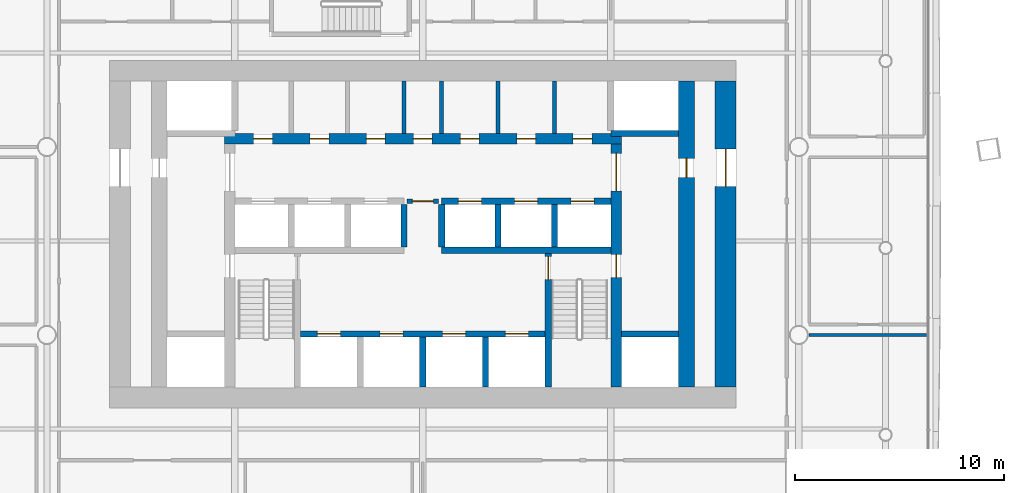
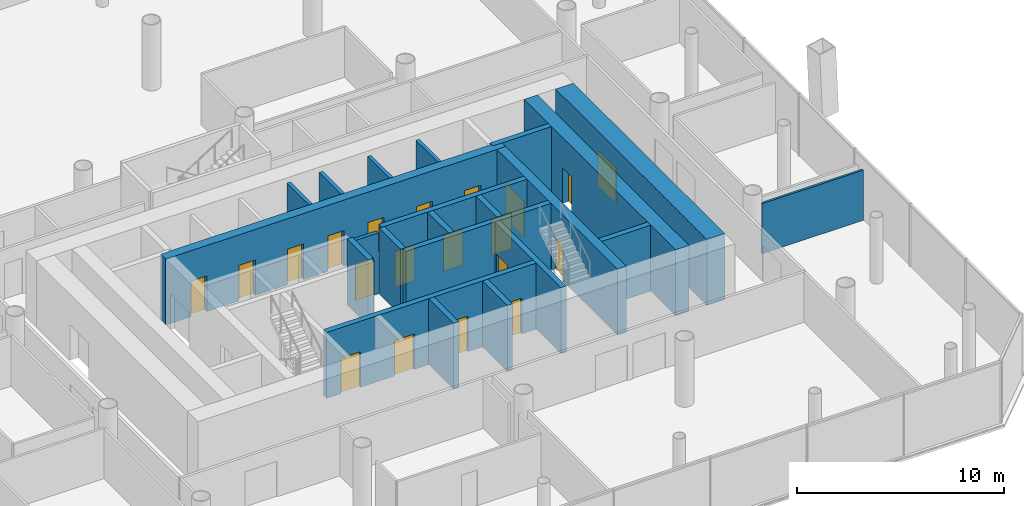
# One storey, part 15 of 22: 22 walls, 20 doors, 20 openings.
"""IFC4 building model written with IfcOpenShell, lengths in metres."""

from ifc_helpers import new_model, si_unit, direction, frame, frame_2d, origin, place, context, subcontext, project, spatial, rectangle, extrude, material, layer, layer_set, type_object, element, fill, save


model = new_model("IFC4")

# Units and contexts
model_context = context("Model", 3, precision=1e-05, world=origin(), true_north=direction((0.0, 1.0)))
body_context = subcontext(model_context, "Body", "Model", "MODEL_VIEW")
ifc_project = project(units=[si_unit("LENGTHUNIT", "METRE"), si_unit("AREAUNIT", "SQUARE_METRE"), si_unit("VOLUMEUNIT", "CUBIC_METRE"), si_unit("PLANEANGLEUNIT", "RADIAN"), si_unit("MASSUNIT", "GRAM", prefix="KILO")], contexts=[model_context])

# Site, building, storey
site_placement = place(None, origin())
site = spatial("IfcSite", under=ifc_project, at=site_placement, CompositionType="ELEMENT")
building_placement = place(site_placement, origin())
building = spatial("IfcBuilding", under=site, at=building_placement, Name="Tskaro Facet Tower", CompositionType="ELEMENT")
storey_placement = place(building_placement, frame((0.0, 0.0, 26.39990234375)))
storey = spatial("IfcBuildingStorey", under=building, at=storey_placement, Name="L05", CompositionType="ELEMENT", Elevation=26.39990234375)

# Wall, openings, doors
ifc_material_1 = material(Name="Concrete C60/75", Category="concrete")
ifc_layer_1 = layer(ifc_material_1, 0.300048828125, Name="Concrete C60/75")
ifc_layer_set_1 = layer_set([ifc_layer_1], Name="Concrete C60/75")
wall_type_1 = type_object("IfcWallType", Name="CORE-SHAFT", PredefinedType="SHEAR", material=ifc_layer_set_1)
wall_1_placement = place(storey_placement, frame((-5.85009765625, -8.949951171875, 0.0), z_axis=(0.0, 0.0, 1.0), x_axis=(1.0, 0.0, 0.0)))
wall_1 = element("IfcWall", 1, at=wall_1_placement, inside=storey, type_object=wall_type_1, Name="Shaft wall W007", PredefinedType="SHEAR", context=body_context, shape_type="SweptSolid", body=[
    extrude(rectangle(XDim=11.7001953125, YDim=0.300048828125, at=frame_2d((5.85009765625, 0.0))), origin(), (0.0, 0.0, 1.0), 3.900146484375),
])
opening_1_placement = place(wall_1_placement, frame((0.800048828125, 0.0, 0.0)))
opening_1 = element("IfcOpeningElement", 2, at=opening_1_placement, cuts=wall_1, Name="Opening LD-FF1", PredefinedType="OPENING", context=body_context, shape_type="SweptSolid", body=[
    extrude(rectangle(XDim=1.10009765625, YDim=2.10009765625, at=frame_2d((0.550048828125, 1.050048828125))), frame((0.0, 0.159912109375, 0.0), z_axis=(0.0, -1.0, 0.0), x_axis=(1.0, 0.0, 0.0)), (0.0, 0.0, 1.0), 0.320068359375),
])
opening_2_placement = place(wall_1_placement, frame((3.800048828125, 0.0, 0.0)))
opening_2 = element("IfcOpeningElement", 3, at=opening_2_placement, cuts=wall_1, Name="Opening LD-FF2", PredefinedType="OPENING", context=body_context, shape_type="SweptSolid", body=[
    extrude(rectangle(XDim=1.10009765625, YDim=2.10009765625, at=frame_2d((0.550048828125, 1.050048828125))), frame((0.0, 0.159912109375, 0.0), z_axis=(0.0, -1.0, 0.0), x_axis=(1.0, 0.0, 0.0)), (0.0, 0.0, 1.0), 0.320068359375),
])
opening_3_placement = place(wall_1_placement, frame((6.800048828125, 0.0, 0.0)))
opening_3 = element("IfcOpeningElement", 4, at=opening_3_placement, cuts=wall_1, Name="Opening LD-SV1", PredefinedType="OPENING", context=body_context, shape_type="SweptSolid", body=[
    extrude(rectangle(XDim=1.10009765625, YDim=2.10009765625, at=frame_2d((0.550048828125, 1.050048828125))), frame((0.0, 0.159912109375, 0.0), z_axis=(0.0, -1.0, 0.0), x_axis=(1.0, 0.0, 0.0)), (0.0, 0.0, 1.0), 0.320068359375),
])
opening_4_placement = place(wall_1_placement, frame((9.800048828125, 0.0, 0.0)))
opening_4 = element("IfcOpeningElement", 5, at=opening_4_placement, cuts=wall_1, Name="Opening LD-SV2", PredefinedType="OPENING", context=body_context, shape_type="SweptSolid", body=[
    extrude(rectangle(XDim=1.10009765625, YDim=2.10009765625, at=frame_2d((0.550048828125, 1.050048828125))), frame((0.0, 0.159912109375, 0.0), z_axis=(0.0, -1.0, 0.0), x_axis=(1.0, 0.0, 0.0)), (0.0, 0.0, 1.0), 0.320068359375),
])
ifc_material_2 = material(Name="Stainless steel", Category="steel")
door_type_1 = type_object("IfcDoorType", Name="D-LANDING", OperationType="NOTDEFINED", PredefinedType="DOOR", material=ifc_material_2)
door_1_placement = place(opening_1_placement, origin())
door_1 = element("IfcDoor", 6, at=door_1_placement, inside=storey, type_object=door_type_1, Name="Landing door FF1", OperationType="DOUBLE_DOOR_SLIDING", OverallHeight=2.10009765625, OverallWidth=1.10009765625, PredefinedType="DOOR", context=body_context, shape_type="SweptSolid", body=[
    extrude(rectangle(XDim=1.10009765625, YDim=2.10009765625, at=frame_2d((0.550048828125, 1.050048828125))), frame((0.0, 0.02490234375, 0.0), z_axis=(0.0, -1.0, 0.0), x_axis=(1.0, 0.0, 0.0)), (0.0, 0.0, 1.0), 0.050048828125),
])
fill(opening_1, door_1)
door_2_placement = place(opening_2_placement, origin())
door_2 = element("IfcDoor", 7, at=door_2_placement, inside=storey, type_object=door_type_1, Name="Landing door FF2", OperationType="DOUBLE_DOOR_SLIDING", OverallHeight=2.10009765625, OverallWidth=1.10009765625, PredefinedType="DOOR", context=body_context, shape_type="SweptSolid", body=[
    extrude(rectangle(XDim=1.10009765625, YDim=2.10009765625, at=frame_2d((0.550048828125, 1.050048828125))), frame((0.0, 0.02490234375, 0.0), z_axis=(0.0, -1.0, 0.0), x_axis=(1.0, 0.0, 0.0)), (0.0, 0.0, 1.0), 0.050048828125),
])
fill(opening_2, door_2)
door_3_placement = place(opening_3_placement, origin())
door_3 = element("IfcDoor", 8, at=door_3_placement, inside=storey, type_object=door_type_1, Name="Landing door SV1", OperationType="DOUBLE_DOOR_SLIDING", OverallHeight=2.10009765625, OverallWidth=1.10009765625, PredefinedType="DOOR", context=body_context, shape_type="SweptSolid", body=[
    extrude(rectangle(XDim=1.10009765625, YDim=2.10009765625, at=frame_2d((0.550048828125, 1.050048828125))), frame((0.0, 0.02490234375, 0.0), z_axis=(0.0, -1.0, 0.0), x_axis=(1.0, 0.0, 0.0)), (0.0, 0.0, 1.0), 0.050048828125),
])
fill(opening_3, door_3)
door_4_placement = place(opening_4_placement, origin())
door_4 = element("IfcDoor", 9, at=door_4_placement, inside=storey, type_object=door_type_1, Name="Landing door SV2", OperationType="DOUBLE_DOOR_SLIDING", OverallHeight=2.10009765625, OverallWidth=1.10009765625, PredefinedType="DOOR", context=body_context, shape_type="SweptSolid", body=[
    extrude(rectangle(XDim=1.10009765625, YDim=2.10009765625, at=frame_2d((0.550048828125, 1.050048828125))), frame((0.0, 0.02490234375, 0.0), z_axis=(0.0, -1.0, 0.0), x_axis=(1.0, 0.0, 0.0)), (0.0, 0.0, 1.0), 0.050048828125),
])
fill(opening_4, door_4)

# Walls
wall_2_placement = place(storey_placement, frame((9.5, -8.949951171875, 0.0), z_axis=(0.0, 0.0, 1.0), x_axis=(1.0, 0.0, 0.0)))
element("IfcWall", 10, at=wall_2_placement, inside=storey, type_object=wall_type_1, Name="Shaft wall W008", PredefinedType="SHEAR", context=body_context, shape_type="SweptSolid", body=[
    extrude(rectangle(XDim=2.75, YDim=0.300048828125, at=frame_2d((1.375, 0.0))), origin(), (0.0, 0.0, 1.0), 3.900146484375),
])
wall_3_placement = place(storey_placement, frame((0.89990234375, -4.949951171875, 0.0), z_axis=(0.0, 0.0, 1.0), x_axis=(1.0, 0.0, 0.0)))
element("IfcWall", 11, at=wall_3_placement, inside=storey, type_object=wall_type_1, Name="Shaft wall W012", PredefinedType="SHEAR", context=body_context, shape_type="SweptSolid", body=[
    extrude(rectangle(XDim=8.10009765625, YDim=0.300048828125, at=frame_2d((4.050048828125, 0.0))), origin(), (0.0, 0.0, 1.0), 3.900146484375),
])

# Wall, openings, doors
wall_4_placement = place(storey_placement, frame((0.89990234375, -2.60009765625, 0.0), z_axis=(0.0, 0.0, 1.0), x_axis=(1.0, 0.0, 0.0)))
wall_4 = element("IfcWall", 12, at=wall_4_placement, inside=storey, type_object=wall_type_1, Name="Shaft wall W015", PredefinedType="SHEAR", context=body_context, shape_type="SweptSolid", body=[
    extrude(rectangle(XDim=8.10009765625, YDim=0.300048828125, at=frame_2d((4.050048828125, 0.0))), origin(), (0.0, 0.0, 1.0), 3.900146484375),
])
opening_5_placement = place(wall_4_placement, frame((0.800048828125, 0.0, 0.0)))
opening_5 = element("IfcOpeningElement", 13, at=opening_5_placement, cuts=wall_4, Name="Opening LD-LR4", PredefinedType="OPENING", context=body_context, shape_type="SweptSolid", body=[
    extrude(rectangle(XDim=1.10009765625, YDim=2.10009765625, at=frame_2d((0.550048828125, 1.050048828125))), frame((0.0, 0.159912109375, 0.0), z_axis=(0.0, -1.0, 0.0), x_axis=(1.0, 0.0, 0.0)), (0.0, 0.0, 1.0), 0.320068359375),
])
opening_6_placement = place(wall_4_placement, frame((3.5, 0.0, 0.0)))
opening_6 = element("IfcOpeningElement", 14, at=opening_6_placement, cuts=wall_4, Name="Opening LD-LR5", PredefinedType="OPENING", context=body_context, shape_type="SweptSolid", body=[
    extrude(rectangle(XDim=1.10009765625, YDim=2.10009765625, at=frame_2d((0.550048828125, 1.050048828125))), frame((0.0, 0.159912109375, 0.0), z_axis=(0.0, -1.0, 0.0), x_axis=(1.0, 0.0, 0.0)), (0.0, 0.0, 1.0), 0.320068359375),
])
opening_7_placement = place(wall_4_placement, frame((6.199951171875, 0.0, 0.0)))
opening_7 = element("IfcOpeningElement", 15, at=opening_7_placement, cuts=wall_4, Name="Opening LD-LR6", PredefinedType="OPENING", context=body_context, shape_type="SweptSolid", body=[
    extrude(rectangle(XDim=1.10009765625, YDim=2.10009765625, at=frame_2d((0.550048828125, 1.050048828125))), frame((0.0, 0.159912109375, 0.0), z_axis=(0.0, -1.0, 0.0), x_axis=(1.0, 0.0, 0.0)), (0.0, 0.0, 1.0), 0.320068359375),
])
door_5_placement = place(opening_5_placement, origin())
door_5 = element("IfcDoor", 16, at=door_5_placement, inside=storey, type_object=door_type_1, Name="Landing door LR4", OperationType="DOUBLE_DOOR_SLIDING", OverallHeight=2.10009765625, OverallWidth=1.10009765625, PredefinedType="DOOR", context=body_context, shape_type="SweptSolid", body=[
    extrude(rectangle(XDim=1.10009765625, YDim=2.10009765625, at=frame_2d((0.550048828125, 1.050048828125))), frame((0.0, 0.02490234375, 0.0), z_axis=(0.0, -1.0, 0.0), x_axis=(1.0, 0.0, 0.0)), (0.0, 0.0, 1.0), 0.050048828125),
])
fill(opening_5, door_5)
door_6_placement = place(opening_6_placement, origin())
door_6 = element("IfcDoor", 17, at=door_6_placement, inside=storey, type_object=door_type_1, Name="Landing door LR5", OperationType="DOUBLE_DOOR_SLIDING", OverallHeight=2.10009765625, OverallWidth=1.10009765625, PredefinedType="DOOR", context=body_context, shape_type="SweptSolid", body=[
    extrude(rectangle(XDim=1.10009765625, YDim=2.10009765625, at=frame_2d((0.550048828125, 1.050048828125))), frame((0.0, 0.02490234375, 0.0), z_axis=(0.0, -1.0, 0.0), x_axis=(1.0, 0.0, 0.0)), (0.0, 0.0, 1.0), 0.050048828125),
])
fill(opening_6, door_6)
door_7_placement = place(opening_7_placement, origin())
door_7 = element("IfcDoor", 18, at=door_7_placement, inside=storey, type_object=door_type_1, Name="Landing door LR6", OperationType="DOUBLE_DOOR_SLIDING", OverallHeight=2.10009765625, OverallWidth=1.10009765625, PredefinedType="DOOR", context=body_context, shape_type="SweptSolid", body=[
    extrude(rectangle(XDim=1.10009765625, YDim=2.10009765625, at=frame_2d((0.550048828125, 1.050048828125))), frame((0.0, 0.02490234375, 0.0), z_axis=(0.0, -1.0, 0.0), x_axis=(1.0, 0.0, 0.0)), (0.0, 0.0, 1.0), 0.050048828125),
])
fill(opening_7, door_7)

# Walls
wall_5_placement = place(storey_placement, frame((12.25, 0.64990234375, 0.0), z_axis=(0.0, 0.0, 1.0), x_axis=(-1.0, 0.0, 0.0)))
element("IfcWall", 19, at=wall_5_placement, inside=storey, type_object=wall_type_1, Name="Shaft wall W021", PredefinedType="SHEAR", context=body_context, shape_type="SweptSolid", body=[
    extrude(rectangle(XDim=3.25, YDim=0.300048828125, at=frame_2d((1.625, 0.0))), origin(), (0.0, 0.0, 1.0), 3.900146484375),
])
wall_6_placement = place(storey_placement, frame((-0.89990234375, -4.800048828125, 0.0), z_axis=(0.0, 0.0, 1.0), x_axis=(0.0, 1.0, 0.0)))
element("IfcWall", 20, at=wall_6_placement, inside=storey, type_object=wall_type_1, Name="Shaft wall W050", PredefinedType="SHEAR", context=body_context, shape_type="SweptSolid", body=[
    extrude(rectangle(XDim=2.050048828125, YDim=0.300048828125, at=frame_2d((1.02490234375, 0.0))), origin(), (0.0, 0.0, 1.0), 3.900146484375),
])
wall_7_placement = place(storey_placement, frame((0.0, -11.5, 0.0), z_axis=(0.0, 0.0, 1.0), x_axis=(0.0, 1.0, 0.0)))
element("IfcWall", 21, at=wall_7_placement, inside=storey, type_object=wall_type_1, Name="Shaft wall W057", PredefinedType="SHEAR", context=body_context, shape_type="SweptSolid", body=[
    extrude(rectangle(XDim=2.39990234375, YDim=0.300048828125, at=frame_2d((1.199951171875, 0.0))), origin(), (0.0, 0.0, 1.0), 3.900146484375),
])
wall_8_placement = place(storey_placement, frame((0.89990234375, -4.800048828125, 0.0), z_axis=(0.0, 0.0, 1.0), x_axis=(0.0, 1.0, 0.0)))
element("IfcWall", 22, at=wall_8_placement, inside=storey, type_object=wall_type_1, Name="Shaft wall W059", PredefinedType="SHEAR", context=body_context, shape_type="SweptSolid", body=[
    extrude(rectangle(XDim=2.050048828125, YDim=0.300048828125, at=frame_2d((1.02490234375, 0.0))), origin(), (0.0, 0.0, 1.0), 3.900146484375),
])
wall_9_placement = place(storey_placement, frame((3.0, -11.5, 0.0), z_axis=(0.0, 0.0, 1.0), x_axis=(0.0, 1.0, 0.0)))
element("IfcWall", 23, at=wall_9_placement, inside=storey, type_object=wall_type_1, Name="Shaft wall W062", PredefinedType="SHEAR", context=body_context, shape_type="SweptSolid", body=[
    extrude(rectangle(XDim=2.39990234375, YDim=0.300048828125, at=frame_2d((1.199951171875, 0.0))), origin(), (0.0, 0.0, 1.0), 3.900146484375),
])
wall_10_placement = place(storey_placement, frame((3.60009765625, -4.800048828125, 0.0), z_axis=(0.0, 0.0, 1.0), x_axis=(0.0, 1.0, 0.0)))
element("IfcWall", 24, at=wall_10_placement, inside=storey, type_object=wall_type_1, Name="Shaft wall W063", PredefinedType="SHEAR", context=body_context, shape_type="SweptSolid", body=[
    extrude(rectangle(XDim=2.050048828125, YDim=0.300048828125, at=frame_2d((1.02490234375, 0.0))), origin(), (0.0, 0.0, 1.0), 3.900146484375),
])

# Wall, opening, door
wall_11_placement = place(storey_placement, frame((6.0, -5.10009765625, 0.0), z_axis=(0.0, 0.0, 1.0), x_axis=(0.0, -1.0, 0.0)))
wall_11 = element("IfcWall", 25, at=wall_11_placement, inside=storey, type_object=wall_type_1, Name="Shaft wall W066", PredefinedType="SHEAR", context=body_context, shape_type="SweptSolid", body=[
    extrude(rectangle(XDim=6.39990234375, YDim=0.300048828125, at=frame_2d((3.199951171875, 0.0))), origin(), (0.0, 0.0, 1.0), 3.900146484375),
])
opening_8_placement = place(wall_11_placement, frame((0.14990234375, 0.0, 0.0)))
opening_8 = element("IfcOpeningElement", 26, at=opening_8_placement, cuts=wall_11, Name="Opening ST-2-D1", PredefinedType="OPENING", context=body_context, shape_type="SweptSolid", body=[
    extrude(rectangle(XDim=1.10009765625, YDim=2.10009765625, at=frame_2d((0.550048828125, 1.050048828125))), frame((0.0, 0.159912109375, 0.0), z_axis=(0.0, -1.0, 0.0), x_axis=(1.0, 0.0, 0.0)), (0.0, 0.0, 1.0), 0.320068359375),
])
ifc_material_3 = material(Name="Steel", Category="steel")
door_type_2 = type_object("IfcDoorType", Name="D-STAIR", OperationType="NOTDEFINED", PredefinedType="DOOR", material=ifc_material_3)
door_8_placement = place(opening_8_placement, origin())
door_8 = element("IfcDoor", 27, at=door_8_placement, inside=storey, type_object=door_type_2, Name="Stair door 2", OperationType="SINGLE_SWING_RIGHT", OverallHeight=2.10009765625, OverallWidth=1.10009765625, PredefinedType="DOOR", context=body_context, shape_type="SweptSolid", body=[
    extrude(rectangle(XDim=1.10009765625, YDim=2.10009765625, at=frame_2d((0.550048828125, 1.050048828125))), frame((0.0, 0.02490234375, 0.0), z_axis=(0.0, -1.0, 0.0), x_axis=(1.0, 0.0, 0.0)), (0.0, 0.0, 1.0), 0.050048828125),
])
fill(opening_8, door_8)

# Wall
wall_12_placement = place(storey_placement, frame((6.300048828125, -4.800048828125, 0.0), z_axis=(0.0, 0.0, 1.0), x_axis=(0.0, 1.0, 0.0)))
element("IfcWall", 28, at=wall_12_placement, inside=storey, type_object=wall_type_1, Name="Shaft wall W067", PredefinedType="SHEAR", context=body_context, shape_type="SweptSolid", body=[
    extrude(rectangle(XDim=2.050048828125, YDim=0.300048828125, at=frame_2d((1.02490234375, 0.0))), origin(), (0.0, 0.0, 1.0), 3.900146484375),
])

# Wall, opening, door
ifc_material_4 = material(Name="Concrete C20/25", Category="concrete")
ifc_layer_2 = layer(ifc_material_4, 0.199951171875, Name="Concrete C20/25")
ifc_layer_set_2 = layer_set([ifc_layer_2], Name="Concrete C20/25")
wall_type_2 = type_object("IfcWallType", Name="CORE-WALL", PredefinedType="SOLIDWALL", material=ifc_layer_set_2)
wall_13_placement = place(storey_placement, frame((0.75, -2.60009765625, 0.0), z_axis=(0.0, 0.0, 1.0), x_axis=(-1.0, 0.0, 0.0)))
wall_13 = element("IfcWall", 29, at=wall_13_placement, inside=storey, type_object=wall_type_2, Name="Core room wall W014", PredefinedType="SOLIDWALL", context=body_context, shape_type="SweptSolid", body=[
    extrude(rectangle(XDim=1.5, YDim=0.199951171875, at=frame_2d((0.75, 0.0))), origin(), (0.0, 0.0, 1.0), 3.60009765625),
])
opening_9_placement = place(wall_13_placement, frame((0.25, 0.0, 0.0)))
opening_9 = element("IfcOpeningElement", 30, at=opening_9_placement, cuts=wall_13, Name="Opening FL-D1", PredefinedType="OPENING", context=body_context, shape_type="SweptSolid", body=[
    extrude(rectangle(XDim=1.0, YDim=2.10009765625, at=frame_2d((0.5, 1.050048828125))), frame((0.0, 0.10986328125, 0.0), z_axis=(0.0, -1.0, 0.0), x_axis=(1.0, 0.0, 0.0)), (0.0, 0.0, 1.0), 0.219970703125),
])
door_type_3 = type_object("IfcDoorType", Name="D-LOBBY", OperationType="NOTDEFINED", PredefinedType="DOOR", material=ifc_material_3)
door_9_placement = place(opening_9_placement, origin())
door_9 = element("IfcDoor", 31, at=door_9_placement, inside=storey, type_object=door_type_3, Name="Lobby door FL", OperationType="SINGLE_SWING_RIGHT", OverallHeight=2.10009765625, OverallWidth=1.0, PredefinedType="DOOR", context=body_context, shape_type="SweptSolid", body=[
    extrude(rectangle(XDim=1.0, YDim=2.10009765625, at=frame_2d((0.5, 1.050048828125))), frame((0.0, 0.02490234375, 0.0), z_axis=(0.0, -1.0, 0.0), x_axis=(1.0, 0.0, 0.0)), (0.0, 0.0, 1.0), 0.050048828125),
])
fill(opening_9, door_9)

# Walls
for number, where, z_axis, x_axis, name in (
    (32, (-0.89990234375, 0.64990234375, 0.0), (0.0, 0.0, 1.0), (0.0, 1.0, 0.0), "Core room wall W051"),
    (33, (0.89990234375, 0.64990234375, 0.0), (0.0, 0.0, 1.0), (0.0, 1.0, 0.0), "Core room wall W060"),
    (34, (3.60009765625, 0.64990234375, 0.0), (0.0, 0.0, 1.0), (0.0, 1.0, 0.0), "Core room wall W064"),
    (35, (6.300048828125, 0.64990234375, 0.0), (0.0, 0.0, 1.0), (0.0, 1.0, 0.0), "Core room wall W068"),
):
    element("IfcWall", number, at=place(storey_placement, frame(where, z_axis=z_axis, x_axis=x_axis)), inside=storey, type_object=wall_type_2, Name=name, PredefinedType="SOLIDWALL", context=body_context, shape_type="SweptSolid", body=[
        extrude(rectangle(XDim=2.5, YDim=0.199951171875, at=frame_2d((1.25, 0.0))), origin(), (0.0, 0.0, 1.0), 3.60009765625),
    ])

# Wall, opening, door
ifc_layer_3 = layer(ifc_material_1, 1.0, Name="Concrete C60/75")
ifc_layer_set_3 = layer_set([ifc_layer_3], Name="Concrete C60/75")
wall_type_3 = type_object("IfcWallType", Name="Core wall 1000", PredefinedType="SHEAR", material=ifc_layer_set_3)
wall_14_placement = place(storey_placement, frame((14.5, -11.5, 0.0), z_axis=(0.0, 0.0, 1.0), x_axis=(0.0, 1.0, 0.0)))
wall_14 = element("IfcWall", 36, at=wall_14_placement, inside=storey, type_object=wall_type_3, Name="Core wall CW-Z1E", PredefinedType="SHEAR", context=body_context, shape_type="SweptSolid", body=[
    extrude(rectangle(XDim=14.64990234375, YDim=1.0, at=frame_2d((7.324951171875, 0.0))), origin(), (0.0, 0.0, 1.0), 3.900146484375),
])
opening_10_placement = place(wall_14_placement, frame((9.60009765625, 0.0, 0.0)))
opening_10 = element("IfcOpeningElement", 37, at=opening_10_placement, cuts=wall_14, Name="Opening T1-D20", PredefinedType="OPENING", context=body_context, shape_type="SweptSolid", body=[
    extrude(rectangle(XDim=1.800048828125, YDim=2.10009765625, at=frame_2d((0.89990234375, 1.050048828125))), frame((0.0, 0.510009765625, 0.0), z_axis=(0.0, -1.0, 0.0), x_axis=(1.0, 0.0, 0.0)), (0.0, 0.0, 1.0), 1.02001953125),
])
door_type_4 = type_object("IfcDoorType", Name="D-CORE-PAIR", OperationType="NOTDEFINED", PredefinedType="DOOR", material=ifc_material_3)
door_10_placement = place(opening_10_placement, origin())
door_10 = element("IfcDoor", 38, at=door_10_placement, inside=storey, type_object=door_type_4, Name="Door T1-D20", OperationType="DOUBLE_DOOR_SINGLE_SWING", OverallHeight=2.10009765625, OverallWidth=1.800048828125, PredefinedType="DOOR", context=body_context, shape_type="SweptSolid", body=[
    extrude(rectangle(XDim=1.800048828125, YDim=2.10009765625, at=frame_2d((0.89990234375, 1.050048828125))), frame((0.0, 0.02490234375, 0.0), z_axis=(0.0, -1.0, 0.0), x_axis=(1.0, 0.0, 0.0)), (0.0, 0.0, 1.0), 0.050048828125),
])
fill(opening_10, door_10)

# Wall, openings, doors
ifc_material_5 = material(Name="Concrete C40/50", Category="concrete")
ifc_layer_4 = layer(ifc_material_5, 0.5, Name="Concrete C40/50")
ifc_layer_set_4 = layer_set([ifc_layer_4], Name="Concrete C40/50")
wall_type_4 = type_object("IfcWallType", Name="Core wall 500", PredefinedType="SHEAR", material=ifc_layer_set_4)
wall_15_placement = place(storey_placement, frame((-9.5, 0.39990234375, 0.0), z_axis=(0.0, 0.0, 1.0), x_axis=(1.0, 0.0, 0.0)))
wall_15 = element("IfcWall", 39, at=wall_15_placement, inside=storey, type_object=wall_type_4, Name="Core wall CW-Z3N", PredefinedType="SHEAR", context=body_context, shape_type="SweptSolid", body=[
    extrude(rectangle(XDim=19.0, YDim=0.5, at=frame_2d((9.5, 0.0))), origin(), (0.0, 0.0, 1.0), 3.900146484375),
])
opening_11_placement = place(wall_15_placement, frame((1.39990234375, 0.0, 0.0)))
opening_11 = element("IfcOpeningElement", 40, at=opening_11_placement, cuts=wall_15, Name="Opening T1-D21", PredefinedType="OPENING", context=body_context, shape_type="SweptSolid", body=[
    extrude(rectangle(XDim=0.89990234375, YDim=2.10009765625, at=frame_2d((0.449951171875, 1.050048828125))), frame((0.0, 0.260009765625, 0.0), z_axis=(0.0, -1.0, 0.0), x_axis=(1.0, 0.0, 0.0)), (0.0, 0.0, 1.0), 0.52001953125),
])
opening_12_placement = place(wall_15_placement, frame((4.10009765625, 0.0, 0.0)))
opening_12 = element("IfcOpeningElement", 41, at=opening_12_placement, cuts=wall_15, Name="Opening T1-D22", PredefinedType="OPENING", context=body_context, shape_type="SweptSolid", body=[
    extrude(rectangle(XDim=0.89990234375, YDim=2.10009765625, at=frame_2d((0.449951171875, 1.050048828125))), frame((0.0, 0.260009765625, 0.0), z_axis=(0.0, -1.0, 0.0), x_axis=(1.0, 0.0, 0.0)), (0.0, 0.0, 1.0), 0.52001953125),
])
opening_13_placement = place(wall_15_placement, frame((6.800048828125, 0.0, 0.0)))
opening_13 = element("IfcOpeningElement", 42, at=opening_13_placement, cuts=wall_15, Name="Opening T1-D23", PredefinedType="OPENING", context=body_context, shape_type="SweptSolid", body=[
    extrude(rectangle(XDim=0.89990234375, YDim=2.10009765625, at=frame_2d((0.449951171875, 1.050048828125))), frame((0.0, 0.260009765625, 0.0), z_axis=(0.0, -1.0, 0.0), x_axis=(1.0, 0.0, 0.0)), (0.0, 0.0, 1.0), 0.52001953125),
])
opening_14_placement = place(wall_15_placement, frame((11.300048828125, 0.0, 0.0)))
opening_14 = element("IfcOpeningElement", 43, at=opening_14_placement, cuts=wall_15, Name="Opening T1-D25", PredefinedType="OPENING", context=body_context, shape_type="SweptSolid", body=[
    extrude(rectangle(XDim=0.89990234375, YDim=2.10009765625, at=frame_2d((0.449951171875, 1.050048828125))), frame((0.0, 0.260009765625, 0.0), z_axis=(0.0, -1.0, 0.0), x_axis=(1.0, 0.0, 0.0)), (0.0, 0.0, 1.0), 0.52001953125),
])
opening_15_placement = place(wall_15_placement, frame((14.0, 0.0, 0.0)))
opening_15 = element("IfcOpeningElement", 44, at=opening_15_placement, cuts=wall_15, Name="Opening T1-D26", PredefinedType="OPENING", context=body_context, shape_type="SweptSolid", body=[
    extrude(rectangle(XDim=0.89990234375, YDim=2.10009765625, at=frame_2d((0.449951171875, 1.050048828125))), frame((0.0, 0.260009765625, 0.0), z_axis=(0.0, -1.0, 0.0), x_axis=(1.0, 0.0, 0.0)), (0.0, 0.0, 1.0), 0.52001953125),
])
opening_16_placement = place(wall_15_placement, frame((16.699951171875, 0.0, 0.0)))
opening_16 = element("IfcOpeningElement", 45, at=opening_16_placement, cuts=wall_15, Name="Opening T1-D27", PredefinedType="OPENING", context=body_context, shape_type="SweptSolid", body=[
    extrude(rectangle(XDim=0.89990234375, YDim=2.10009765625, at=frame_2d((0.449951171875, 1.050048828125))), frame((0.0, 0.260009765625, 0.0), z_axis=(0.0, -1.0, 0.0), x_axis=(1.0, 0.0, 0.0)), (0.0, 0.0, 1.0), 0.52001953125),
])
opening_17_placement = place(wall_15_placement, frame((9.050048828125, 0.0, 0.0)))
opening_17 = element("IfcOpeningElement", 46, at=opening_17_placement, cuts=wall_15, Name="Opening T1-D24", PredefinedType="OPENING", context=body_context, shape_type="SweptSolid", body=[
    extrude(rectangle(XDim=0.89990234375, YDim=2.10009765625, at=frame_2d((0.449951171875, 1.050048828125))), frame((0.0, 0.260009765625, 0.0), z_axis=(0.0, -1.0, 0.0), x_axis=(1.0, 0.0, 0.0)), (0.0, 0.0, 1.0), 0.52001953125),
])
door_type_5 = type_object("IfcDoorType", Name="D-RISER", OperationType="NOTDEFINED", PredefinedType="DOOR", material=ifc_material_3)
door_11_placement = place(opening_17_placement, origin())
door_11 = element("IfcDoor", 47, at=door_11_placement, inside=storey, type_object=door_type_5, Name="Door T1-D24", OperationType="SINGLE_SWING_LEFT", OverallHeight=2.10009765625, OverallWidth=0.89990234375, PredefinedType="DOOR", context=body_context, shape_type="SweptSolid", body=[
    extrude(rectangle(XDim=0.89990234375, YDim=2.10009765625, at=frame_2d((0.449951171875, 1.050048828125))), frame((0.0, 0.02490234375, 0.0), z_axis=(0.0, -1.0, 0.0), x_axis=(1.0, 0.0, 0.0)), (0.0, 0.0, 1.0), 0.050048828125),
])
fill(opening_17, door_11)
ifc_material_6 = material(Name="Timber", Category="wood")
door_type_6 = type_object("IfcDoorType", Name="D-ROOM", OperationType="NOTDEFINED", PredefinedType="DOOR", material=ifc_material_6)
door_12_placement = place(opening_11_placement, origin())
door_12 = element("IfcDoor", 48, at=door_12_placement, inside=storey, type_object=door_type_6, Name="Door T1-D21", OperationType="SINGLE_SWING_LEFT", OverallHeight=2.10009765625, OverallWidth=0.89990234375, PredefinedType="DOOR", context=body_context, shape_type="SweptSolid", body=[
    extrude(rectangle(XDim=0.89990234375, YDim=2.10009765625, at=frame_2d((0.449951171875, 1.050048828125))), frame((0.0, 0.02490234375, 0.0), z_axis=(0.0, -1.0, 0.0), x_axis=(1.0, 0.0, 0.0)), (0.0, 0.0, 1.0), 0.050048828125),
])
fill(opening_11, door_12)
door_13_placement = place(opening_12_placement, origin())
door_13 = element("IfcDoor", 49, at=door_13_placement, inside=storey, type_object=door_type_6, Name="Door T1-D22", OperationType="SINGLE_SWING_LEFT", OverallHeight=2.10009765625, OverallWidth=0.89990234375, PredefinedType="DOOR", context=body_context, shape_type="SweptSolid", body=[
    extrude(rectangle(XDim=0.89990234375, YDim=2.10009765625, at=frame_2d((0.449951171875, 1.050048828125))), frame((0.0, 0.02490234375, 0.0), z_axis=(0.0, -1.0, 0.0), x_axis=(1.0, 0.0, 0.0)), (0.0, 0.0, 1.0), 0.050048828125),
])
fill(opening_12, door_13)
door_14_placement = place(opening_13_placement, origin())
door_14 = element("IfcDoor", 50, at=door_14_placement, inside=storey, type_object=door_type_6, Name="Door T1-D23", OperationType="SINGLE_SWING_LEFT", OverallHeight=2.10009765625, OverallWidth=0.89990234375, PredefinedType="DOOR", context=body_context, shape_type="SweptSolid", body=[
    extrude(rectangle(XDim=0.89990234375, YDim=2.10009765625, at=frame_2d((0.449951171875, 1.050048828125))), frame((0.0, 0.02490234375, 0.0), z_axis=(0.0, -1.0, 0.0), x_axis=(1.0, 0.0, 0.0)), (0.0, 0.0, 1.0), 0.050048828125),
])
fill(opening_13, door_14)
door_15_placement = place(opening_14_placement, origin())
door_15 = element("IfcDoor", 51, at=door_15_placement, inside=storey, type_object=door_type_6, Name="Door T1-D25", OperationType="SINGLE_SWING_LEFT", OverallHeight=2.10009765625, OverallWidth=0.89990234375, PredefinedType="DOOR", context=body_context, shape_type="SweptSolid", body=[
    extrude(rectangle(XDim=0.89990234375, YDim=2.10009765625, at=frame_2d((0.449951171875, 1.050048828125))), frame((0.0, 0.02490234375, 0.0), z_axis=(0.0, -1.0, 0.0), x_axis=(1.0, 0.0, 0.0)), (0.0, 0.0, 1.0), 0.050048828125),
])
fill(opening_14, door_15)
door_16_placement = place(opening_15_placement, origin())
door_16 = element("IfcDoor", 52, at=door_16_placement, inside=storey, type_object=door_type_6, Name="Door T1-D26", OperationType="SINGLE_SWING_LEFT", OverallHeight=2.10009765625, OverallWidth=0.89990234375, PredefinedType="DOOR", context=body_context, shape_type="SweptSolid", body=[
    extrude(rectangle(XDim=0.89990234375, YDim=2.10009765625, at=frame_2d((0.449951171875, 1.050048828125))), frame((0.0, 0.02490234375, 0.0), z_axis=(0.0, -1.0, 0.0), x_axis=(1.0, 0.0, 0.0)), (0.0, 0.0, 1.0), 0.050048828125),
])
fill(opening_15, door_16)
door_17_placement = place(opening_16_placement, origin())
door_17 = element("IfcDoor", 53, at=door_17_placement, inside=storey, type_object=door_type_6, Name="Door T1-D27", OperationType="SINGLE_SWING_LEFT", OverallHeight=2.10009765625, OverallWidth=0.89990234375, PredefinedType="DOOR", context=body_context, shape_type="SweptSolid", body=[
    extrude(rectangle(XDim=0.89990234375, YDim=2.10009765625, at=frame_2d((0.449951171875, 1.050048828125))), frame((0.0, 0.02490234375, 0.0), z_axis=(0.0, -1.0, 0.0), x_axis=(1.0, 0.0, 0.0)), (0.0, 0.0, 1.0), 0.050048828125),
])
fill(opening_16, door_17)

wall_16_placement = place(storey_placement, frame((9.25, -11.5, 0.0), z_axis=(0.0, 0.0, 1.0), x_axis=(0.0, 1.0, 0.0)))
wall_16 = element("IfcWall", 54, at=wall_16_placement, inside=storey, type_object=wall_type_4, Name="Core wall CW-Z3E", PredefinedType="SHEAR", context=body_context, shape_type="SweptSolid", body=[
    extrude(rectangle(XDim=11.64990234375, YDim=0.5, at=frame_2d((5.824951171875, 0.0))), origin(), (0.0, 0.0, 1.0), 3.900146484375),
])
opening_18_placement = place(wall_16_placement, frame((9.39990234375, 0.0, 0.0)))
opening_18 = element("IfcOpeningElement", 55, at=opening_18_placement, cuts=wall_16, Name="Opening T1-D16", PredefinedType="OPENING", context=body_context, shape_type="SweptSolid", body=[
    extrude(rectangle(XDim=1.800048828125, YDim=2.10009765625, at=frame_2d((0.89990234375, 1.050048828125))), frame((0.0, 0.260009765625, 0.0), z_axis=(0.0, -1.0, 0.0), x_axis=(1.0, 0.0, 0.0)), (0.0, 0.0, 1.0), 0.52001953125),
])
opening_19_placement = place(wall_16_placement, frame((5.25, 0.0, 0.0)))
opening_19 = element("IfcOpeningElement", 56, at=opening_19_placement, cuts=wall_16, Name="Opening ST-2-D2", PredefinedType="OPENING", context=body_context, shape_type="SweptSolid", body=[
    extrude(rectangle(XDim=1.10009765625, YDim=2.10009765625, at=frame_2d((0.550048828125, 1.050048828125))), frame((0.0, 0.260009765625, 0.0), z_axis=(0.0, -1.0, 0.0), x_axis=(1.0, 0.0, 0.0)), (0.0, 0.0, 1.0), 0.52001953125),
])
door_18_placement = place(opening_18_placement, origin())
door_18 = element("IfcDoor", 57, at=door_18_placement, inside=storey, type_object=door_type_4, Name="Door T1-D16", OperationType="DOUBLE_DOOR_SINGLE_SWING", OverallHeight=2.10009765625, OverallWidth=1.800048828125, PredefinedType="DOOR", context=body_context, shape_type="SweptSolid", body=[
    extrude(rectangle(XDim=1.800048828125, YDim=2.10009765625, at=frame_2d((0.89990234375, 1.050048828125))), frame((0.0, 0.02490234375, 0.0), z_axis=(0.0, -1.0, 0.0), x_axis=(1.0, 0.0, 0.0)), (0.0, 0.0, 1.0), 0.050048828125),
])
fill(opening_18, door_18)
door_19_placement = place(opening_19_placement, origin())
door_19 = element("IfcDoor", 58, at=door_19_placement, inside=storey, type_object=door_type_2, Name="Stair door 2 east", OperationType="SINGLE_SWING_LEFT", OverallHeight=2.10009765625, OverallWidth=1.10009765625, PredefinedType="DOOR", context=body_context, shape_type="SweptSolid", body=[
    extrude(rectangle(XDim=1.10009765625, YDim=2.10009765625, at=frame_2d((0.550048828125, 1.050048828125))), frame((0.0, 0.02490234375, 0.0), z_axis=(0.0, -1.0, 0.0), x_axis=(1.0, 0.0, 0.0)), (0.0, 0.0, 1.0), 0.050048828125),
])
fill(opening_19, door_19)

# Wall, opening, door
ifc_material_7 = material(Name="Concrete C50/60", Category="concrete")
ifc_layer_5 = layer(ifc_material_7, 0.75, Name="Concrete C50/60")
ifc_layer_set_5 = layer_set([ifc_layer_5], Name="Concrete C50/60")
wall_type_5 = type_object("IfcWallType", Name="Core wall 750", PredefinedType="SHEAR", material=ifc_layer_set_5)
wall_17_placement = place(storey_placement, frame((12.625, -11.5, 0.0), z_axis=(0.0, 0.0, 1.0), x_axis=(0.0, 1.0, 0.0)))
wall_17 = element("IfcWall", 59, at=wall_17_placement, inside=storey, type_object=wall_type_5, Name="Core wall CW-Z2E", PredefinedType="SHEAR", context=body_context, shape_type="SweptSolid", body=[
    extrude(rectangle(XDim=14.64990234375, YDim=0.75, at=frame_2d((7.324951171875, 0.0))), origin(), (0.0, 0.0, 1.0), 3.900146484375),
])
opening_20_placement = place(wall_17_placement, frame((10.050048828125, 0.0, 0.0)))
opening_20 = element("IfcOpeningElement", 60, at=opening_20_placement, cuts=wall_17, Name="Opening T1-D19", PredefinedType="OPENING", context=body_context, shape_type="SweptSolid", body=[
    extrude(rectangle(XDim=0.89990234375, YDim=2.10009765625, at=frame_2d((0.449951171875, 1.050048828125))), frame((0.0, 0.385009765625, 0.0), z_axis=(0.0, -1.0, 0.0), x_axis=(1.0, 0.0, 0.0)), (0.0, 0.0, 1.0), 0.77001953125),
])
door_20_placement = place(opening_20_placement, origin())
door_20 = element("IfcDoor", 61, at=door_20_placement, inside=storey, type_object=door_type_6, Name="Door T1-D19", OperationType="SINGLE_SWING_LEFT", OverallHeight=2.10009765625, OverallWidth=0.89990234375, PredefinedType="DOOR", context=body_context, shape_type="SweptSolid", body=[
    extrude(rectangle(XDim=0.89990234375, YDim=2.10009765625, at=frame_2d((0.449951171875, 1.050048828125))), frame((0.0, 0.02490234375, 0.0), z_axis=(0.0, -1.0, 0.0), x_axis=(1.0, 0.0, 0.0)), (0.0, 0.0, 1.0), 0.050048828125),
])
fill(opening_20, door_20)

# Wall
ifc_material_8 = material(Name="Gypsum board on steel studs", Category="steel")
ifc_layer_6 = layer(ifc_material_8, 0.125, Name="Gypsum board on steel studs")
ifc_layer_set_6 = layer_set([ifc_layer_6], Name="Gypsum board on steel studs")
wall_type_6 = type_object("IfcWallType", Name="PART", PredefinedType="PARTITIONING", material=ifc_layer_set_6)
wall_18_placement = place(storey_placement, frame((18.5, -9.0, 0.0), z_axis=(0.0, 0.0, 1.0), x_axis=(1.0, 0.0, 0.0)))
element("IfcWall", 62, at=wall_18_placement, inside=storey, type_object=wall_type_6, Name="Partition W005", PredefinedType="PARTITIONING", context=body_context, shape_type="SweptSolid", body=[
    extrude(rectangle(XDim=5.652099609375, YDim=0.125, at=frame_2d((2.826171875, 0.0))), origin(), (0.0, 0.0, 1.0), 2.960205078125),
])

save(model, "model.ifc")
